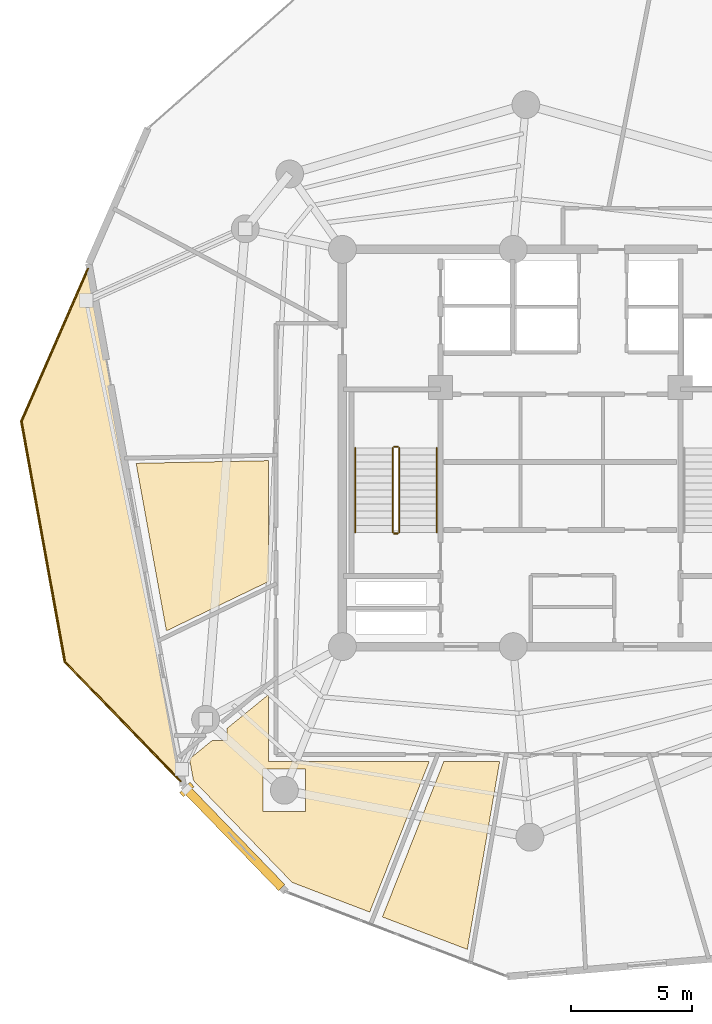
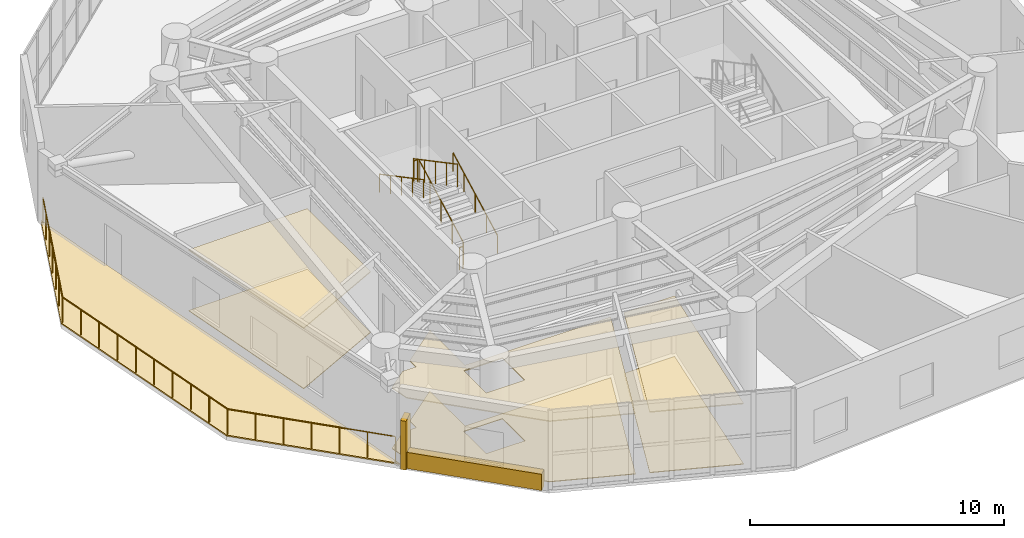
# One storey, part 10 of 12: 9 railings, 8 coverings, 1 shading device.
"""IFC4 building model written with IfcOpenShell, lengths in metres."""

from ifc_helpers import new_model, si_unit, direction, frame, origin, origin_with_axes, origin_2d, place, context, subcontext, project, spatial, polyline, rectangle, circle, outline, extrude, source, transform, mapped, material, layer, layer_set, type_object, element, save


model = new_model("IFC4")

# Units and contexts
model_context = context("Model", 3, precision=1e-05, world=origin(), true_north=direction((0.0, 1.0)))
body_context = subcontext(model_context, "Body", "Model", "MODEL_VIEW")
ifc_project = project(units=[si_unit("LENGTHUNIT", "METRE"), si_unit("AREAUNIT", "SQUARE_METRE"), si_unit("VOLUMEUNIT", "CUBIC_METRE"), si_unit("PLANEANGLEUNIT", "RADIAN"), si_unit("MASSUNIT", "GRAM", prefix="KILO")], contexts=[model_context])

# Site, building, storey
site_placement = place(None, origin())
site = spatial("IfcSite", under=ifc_project, at=site_placement, CompositionType="ELEMENT")
building_placement = place(site_placement, origin())
building = spatial("IfcBuilding", under=site, at=building_placement, Name="Karkom Vertical University and Central Library", CompositionType="ELEMENT")
storey_placement = place(building_placement, frame((0.0, 0.0, 212.89990234375)))
storey = spatial("IfcBuildingStorey", under=building, at=storey_placement, Name="L62", CompositionType="ELEMENT", Elevation=212.89990234375)

# Covering
ifc_material_1 = material(Name="EPDM membrane with Kota stone ballast roofing", Category="masonry")
ifc_layer_1 = layer(ifc_material_1, 0.080078125)
ifc_layer_set_1 = layer_set([ifc_layer_1], Name="EPDM membrane with Kota stone ballast roofing")
covering_type_1 = type_object("IfcCoveringType", Name="ENV-COV-ROOF", PredefinedType="ROOFING", material=ifc_layer_set_1)
covering_1_placement = place(storey_placement, origin())
element("IfcCovering", 1, at=covering_1_placement, inside=storey, type_object=covering_type_1, Name="Level 62 Spiral Sky Garden Waterproofing Covering", PredefinedType="ROOFING", context=body_context, shape_type="SweptSolid", body=[
    extrude(outline(polyline([(7.98291015625, 17.65771484375), (12.918212890625, 12.557373046875), (9.02490234375, 34.109619140625), (6.18603515625, 27.60498046875), (7.98291015625, 17.65771484375)])), origin(), (0.0, 0.0, 1.0), 0.06005859375),
])

# Railings
ifc_material_2 = material(Name="Architectural painted steel & laminated glass balustrade", Category="steel")
ifc_layer_2 = layer(ifc_material_2, 0.090087890625)
ifc_layer_set_2 = layer_set([ifc_layer_2], Name="Architectural painted steel & laminated glass balustrade")
railing_type_1 = type_object("IfcRailingType", Name="ENV-RL-BAL1300", PredefinedType="BALUSTRADE", material=ifc_layer_set_2)
railing_1_placement = place(storey_placement, frame((8.038818359375, 17.686279296875, 0.0)))
element("IfcRailing", 2, at=railing_1_placement, inside=storey, type_object=railing_type_1, Name="Level 62 Planted Terrace Safety Balustrade 01", PredefinedType="BALUSTRADE", context=body_context, shape_type="SweptSolid", body=[
    extrude(circle(Radius=0.02392578125, at=origin_2d()), frame((0.0, 0.0, 1.27587890625), z_axis=(-0.177771861924, 0.984071727624, 0.0), x_axis=(-0.984071727624, -0.177771861924, 0.0)), (0.0, 0.0, 1.0), 10.072021484375),
    extrude(circle(Radius=0.02099609375, at=origin_2d()), origin(), (0.0, 0.0, 1.0), 1.251953125),
    extrude(circle(Radius=0.02099609375, at=origin_2d()), frame((-0.198974609375, 1.101318359375, 0.0)), (0.0, 0.0, 1.0), 1.251953125),
    extrude(circle(Radius=0.02099609375, at=origin_2d()), frame((-0.39794921875, 2.20263671875, 0.0)), (0.0, 0.0, 1.0), 1.251953125),
    extrude(circle(Radius=0.02099609375, at=origin_2d()), frame((-0.596923828125, 3.303955078125, 0.0)), (0.0, 0.0, 1.0), 1.251953125),
    extrude(circle(Radius=0.02099609375, at=origin_2d()), frame((-0.7958984375, 4.4052734375, 0.0)), (0.0, 0.0, 1.0), 1.251953125),
    extrude(circle(Radius=0.02099609375, at=origin_2d()), frame((-0.99462890625, 5.50634765625, 0.0)), (0.0, 0.0, 1.0), 1.251953125),
    extrude(circle(Radius=0.02099609375, at=origin_2d()), frame((-1.193603515625, 6.607666015625, 0.0)), (0.0, 0.0, 1.0), 1.251953125),
    extrude(circle(Radius=0.02099609375, at=origin_2d()), frame((-1.392578125, 7.708984375, 0.0)), (0.0, 0.0, 1.0), 1.251953125),
    extrude(circle(Radius=0.02099609375, at=origin_2d()), frame((-1.591552734375, 8.810302734375, 0.0)), (0.0, 0.0, 1.0), 1.251953125),
    extrude(circle(Radius=0.02099609375, at=origin_2d()), frame((-1.79052734375, 9.91162109375, 0.0)), (0.0, 0.0, 1.0), 1.251953125),
])
railing_2_placement = place(storey_placement, frame((6.248291015625, 27.597900390625, 0.0)))
element("IfcRailing", 3, at=railing_2_placement, inside=storey, type_object=railing_type_1, Name="Level 62 Planted Terrace Safety Balustrade 02", PredefinedType="BALUSTRADE", context=body_context, shape_type="SweptSolid", body=[
    extrude(circle(Radius=0.02392578125, at=origin_2d()), frame((0.0, 0.0, 1.27587890625), z_axis=(0.400016524459, 0.916507926949, 0.0), x_axis=(-0.916507926949, 0.400016524459, 0.0)), (0.0, 0.0, 1.0), 6.88134765625),
    extrude(circle(Radius=0.02099609375, at=origin_2d()), origin(), (0.0, 0.0, 1.0), 1.251953125),
    extrude(circle(Radius=0.02099609375, at=origin_2d()), frame((0.458740234375, 1.05126953125, 0.0)), (0.0, 0.0, 1.0), 1.251953125),
    extrude(circle(Radius=0.02099609375, at=origin_2d()), frame((0.91748046875, 2.102294921875, 0.0)), (0.0, 0.0, 1.0), 1.251953125),
    extrude(circle(Radius=0.02099609375, at=origin_2d()), frame((1.37646484375, 3.1533203125, 0.0)), (0.0, 0.0, 1.0), 1.251953125),
    extrude(circle(Radius=0.02099609375, at=origin_2d()), frame((1.835205078125, 4.20458984375, 0.0)), (0.0, 0.0, 1.0), 1.251953125),
    extrude(circle(Radius=0.02099609375, at=origin_2d()), frame((2.2939453125, 5.255859375, 0.0)), (0.0, 0.0, 1.0), 1.251953125),
    extrude(circle(Radius=0.02099609375, at=origin_2d()), frame((2.752685546875, 6.306884765625, 0.0)), (0.0, 0.0, 1.0), 1.251953125),
])
railing_3_placement = place(storey_placement, frame((12.82421875, 12.740966796875, 0.0)))
element("IfcRailing", 4, at=railing_3_placement, inside=storey, type_object=railing_type_1, Name="Level 62 Planted Terrace Safety Balustrade 03", PredefinedType="BALUSTRADE", context=body_context, shape_type="SweptSolid", body=[
    extrude(circle(Radius=0.02392578125, at=origin_2d()), frame((0.0, 0.0, 1.27587890625), z_axis=(-0.695392469312, 0.718630164705, 0.0), x_axis=(-0.718630164705, -0.695392469312, 0.0)), (0.0, 0.0, 1.0), 6.881591796875),
    extrude(circle(Radius=0.02099609375, at=origin_2d()), origin(), (0.0, 0.0, 1.0), 1.251953125),
    extrude(circle(Radius=0.02099609375, at=origin_2d()), frame((-0.797607421875, 0.82421875, 0.0)), (0.0, 0.0, 1.0), 1.251953125),
    extrude(circle(Radius=0.02099609375, at=origin_2d()), frame((-1.59521484375, 1.6484375, 0.0)), (0.0, 0.0, 1.0), 1.251953125),
    extrude(circle(Radius=0.02099609375, at=origin_2d()), frame((-2.392578125, 2.47265625, 0.0)), (0.0, 0.0, 1.0), 1.251953125),
    extrude(circle(Radius=0.02099609375, at=origin_2d()), frame((-3.190185546875, 3.296875, 0.0)), (0.0, 0.0, 1.0), 1.251953125),
    extrude(circle(Radius=0.02099609375, at=origin_2d()), frame((-3.98779296875, 4.12109375, 0.0)), (0.0, 0.0, 1.0), 1.251953125),
    extrude(circle(Radius=0.02099609375, at=origin_2d()), frame((-4.785400390625, 4.9453125, 0.0)), (0.0, 0.0, 1.0), 1.251953125),
])

# Coverings
ifc_material_3 = material(Name="Perforated mineral-fibre & timber-slat acoustic ceiling", Category="wood")
ifc_layer_3 = layer(ifc_material_3, 0.044921875)
ifc_layer_set_3 = layer_set([ifc_layer_3], Name="Perforated mineral-fibre & timber-slat acoustic ceiling")
covering_type_2 = type_object("IfcCoveringType", Name="INT-COV-CEIL", PredefinedType="CEILING", material=ifc_layer_set_3)
covering_2_placement = place(storey_placement, frame((0.0, 0.0, 2.905029296875)))
element("IfcCovering", 5, at=covering_2_placement, inside=storey, type_object=covering_type_2, Name="Level 62 Suspended Acoustic Ceiling L62-01", PredefinedType="CEILING", context=body_context, shape_type="SweptSolid", body=[
    extrude(outline(polyline([(10.981201171875, 25.867431640625), (16.449951171875, 25.977294921875), (16.449951171875, 20.9873046875), (12.231201171875, 18.948486328125), (10.981201171875, 25.867431640625)])), origin(), (0.0, 0.0, 1.0), 0.045166015625),
])
covering_3_placement = place(storey_placement, frame((0.0, 0.0, 2.905029296875)))
element("IfcCovering", 6, at=covering_3_placement, inside=storey, type_object=covering_type_2, Name="Level 62 Suspended Acoustic Ceiling L62-03", PredefinedType="CEILING", context=body_context, shape_type="SweptSolid", body=[
    extrude(outline(polyline([(23.0810546875, 13.550048828125), (20.6259765625, 7.337890625), (17.424072265625, 8.5625), (13.34619140625, 12.776611328125), (13.186279296875, 13.660888671875), (14.11181640625, 14.4150390625), (14.72900390625, 14.4150390625), (14.72900390625, 14.91796875), (16.449951171875, 16.3203125), (16.449951171875, 13.550048828125), (23.0810546875, 13.550048828125)]), holes=[polyline([(16.222900390625, 13.24609375), (16.222900390625, 11.486083984375), (17.98291015625, 11.486083984375), (17.98291015625, 13.24609375), (16.222900390625, 13.24609375)])]), origin(), (0.0, 0.0, 1.0), 0.045166015625),
])
covering_4_placement = place(storey_placement, frame((0.0, 0.0, 2.905029296875)))
element("IfcCovering", 7, at=covering_4_placement, inside=storey, type_object=covering_type_2, Name="Level 62 Suspended Acoustic Ceiling L62-04", PredefinedType="CEILING", context=body_context, shape_type="SweptSolid", body=[
    extrude(outline(polyline([(21.149169921875, 7.137939453125), (23.68310546875, 13.550048828125), (25.989013671875, 13.550048828125), (24.656005859375, 5.796875), (21.149169921875, 7.137939453125)])), origin(), (0.0, 0.0, 1.0), 0.045166015625),
])
ifc_material_4 = material(Name="Honed Kota limestone & terrazzo flooring", Category="masonry")
ifc_layer_4 = layer(ifc_material_4, 0.030029296875)
ifc_layer_set_4 = layer_set([ifc_layer_4], Name="Honed Kota limestone & terrazzo flooring")
covering_type_3 = type_object("IfcCoveringType", Name="INT-COV-FLOOR", PredefinedType="FLOORING", material=ifc_layer_set_4)
covering_5_placement = place(storey_placement, origin())
element("IfcCovering", 8, at=covering_5_placement, inside=storey, type_object=covering_type_3, Name="Level 62 Kota Stone Floor Finish L62-01", PredefinedType="FLOORING", context=body_context, shape_type="SweptSolid", body=[
    extrude(outline(polyline([(10.981201171875, 25.867431640625), (16.449951171875, 25.977294921875), (16.449951171875, 20.9873046875), (12.231201171875, 18.948486328125), (10.981201171875, 25.867431640625)])), origin(), (0.0, 0.0, 1.0), 0.030029296875),
])
covering_6_placement = place(storey_placement, origin())
element("IfcCovering", 9, at=covering_6_placement, inside=storey, type_object=covering_type_3, Name="Level 62 Kota Stone Floor Finish L62-03", PredefinedType="FLOORING", context=body_context, shape_type="SweptSolid", body=[
    extrude(outline(polyline([(23.0810546875, 13.550048828125), (20.6259765625, 7.337890625), (17.424072265625, 8.5625), (13.34619140625, 12.776611328125), (13.186279296875, 13.660888671875), (14.11181640625, 14.4150390625), (14.72900390625, 14.4150390625), (14.72900390625, 14.91796875), (16.449951171875, 16.3203125), (16.449951171875, 13.550048828125), (23.0810546875, 13.550048828125)]), holes=[polyline([(16.222900390625, 13.24609375), (16.222900390625, 11.486083984375), (17.98291015625, 11.486083984375), (17.98291015625, 13.24609375), (16.222900390625, 13.24609375)])]), origin(), (0.0, 0.0, 1.0), 0.030029296875),
])
covering_7_placement = place(storey_placement, origin())
element("IfcCovering", 10, at=covering_7_placement, inside=storey, type_object=covering_type_3, Name="Level 62 Kota Stone Floor Finish L62-04", PredefinedType="FLOORING", context=body_context, shape_type="SweptSolid", body=[
    extrude(outline(polyline([(21.149169921875, 7.137939453125), (23.68310546875, 13.550048828125), (25.989013671875, 13.550048828125), (24.656005859375, 5.796875), (21.149169921875, 7.137939453125)])), origin(), (0.0, 0.0, 1.0), 0.030029296875),
])

# Railings
ifc_material_5 = material(Name="Painted galvanised steel balustrade", Category="steel")
ifc_layer_5 = layer(ifc_material_5, 0.06005859375)
ifc_layer_set_5 = layer_set([ifc_layer_5], Name="Painted galvanised steel balustrade")
railing_type_2 = type_object("IfcRailingType", Name="INT-RL-GUARD1100", PredefinedType="GUARDRAIL", material=ifc_layer_set_5)
railing_4_placement = place(storey_placement, frame((21.840087890625, 23.02001953125, 0.154052734375)))
element("IfcRailing", 11, at=railing_4_placement, inside=storey, type_object=railing_type_2, Name="Level 62 ST-1 stair guard 1", PredefinedType="GUARDRAIL", context=body_context, shape_type="SweptSolid", body=[
    extrude(circle(Radius=0.02392578125, at=origin_2d()), frame((0.0, 0.0, 1.076171875), z_axis=(0.0, 0.883409237303, 0.468602304143), x_axis=(-1.0, 0.0, 0.0)), (0.0, 0.0, 1.0), 3.939208984375),
    extrude(circle(Radius=0.02099609375, at=origin_2d()), origin(), (0.0, 0.0, 1.0), 1.052001953125),
    extrude(circle(Radius=0.02099609375, at=origin_2d()), frame((0.0, 0.8701171875, 0.46142578125)), (0.0, 0.0, 1.0), 1.052001953125),
    extrude(circle(Radius=0.02099609375, at=origin_2d()), frame((0.0, 1.739990234375, 0.9228515625)), (0.0, 0.0, 1.0), 1.052001953125),
    extrude(circle(Radius=0.02099609375, at=origin_2d()), frame((0.0, 2.60986328125, 1.384521484375)), (0.0, 0.0, 1.0), 1.052001953125),
    extrude(circle(Radius=0.02099609375, at=origin_2d()), frame((0.0, 3.47998046875, 1.845947265625)), (0.0, 0.0, 1.0), 1.052001953125),
])
railing_5_placement = place(storey_placement, frame((21.7900390625, 26.550048828125, 2.0)))
element("IfcRailing", 12, at=railing_5_placement, inside=storey, type_object=railing_type_2, Name="Level 62 ST-1 stair guard 2", PredefinedType="GUARDRAIL", context=body_context, shape_type="SweptSolid", body=[
    extrude(circle(Radius=0.02392578125, at=origin_2d()), frame((0.0, 0.0, 1.076171875), z_axis=(-1.0, 0.0, 0.0), x_axis=(0.0, -1.0, 0.0)), (0.0, 0.0, 1.0), 0.16015625),
    extrude(circle(Radius=0.02099609375, at=origin_2d()), origin(), (0.0, 0.0, 1.0), 1.052001953125),
    extrude(circle(Radius=0.02099609375, at=origin_2d()), frame((-0.16015625, 0.0, 0.0)), (0.0, 0.0, 1.0), 1.052001953125),
])
railing_6_placement = place(storey_placement, frame((21.580078125, 26.5, 2.154052734375)))
element("IfcRailing", 13, at=railing_6_placement, inside=storey, type_object=railing_type_2, Name="Level 62 ST-1 stair guard 3", PredefinedType="GUARDRAIL", context=body_context, shape_type="SweptSolid", body=[
    extrude(circle(Radius=0.02392578125, at=origin_2d()), frame((0.0, 0.0, 1.076171875), z_axis=(0.0, -0.883409237303, 0.468602304143), x_axis=(1.0, 0.0, 0.0)), (0.0, 0.0, 1.0), 3.939208984375),
    extrude(circle(Radius=0.02099609375, at=origin_2d()), origin(), (0.0, 0.0, 1.0), 1.052001953125),
    extrude(circle(Radius=0.02099609375, at=origin_2d()), frame((0.0, -0.8701171875, 0.46142578125)), (0.0, 0.0, 1.0), 1.052001953125),
    extrude(circle(Radius=0.02099609375, at=origin_2d()), frame((0.0, -1.739990234375, 0.9228515625)), (0.0, 0.0, 1.0), 1.052001953125),
    extrude(circle(Radius=0.02099609375, at=origin_2d()), frame((0.0, -2.60986328125, 1.384521484375)), (0.0, 0.0, 1.0), 1.052001953125),
    extrude(circle(Radius=0.02099609375, at=origin_2d()), frame((0.0, -3.47998046875, 1.845947265625)), (0.0, 0.0, 1.0), 1.052001953125),
])
railing_7_placement = place(storey_placement, frame((21.7900390625, 22.969970703125, 0.0)))
element("IfcRailing", 14, at=railing_7_placement, inside=storey, type_object=railing_type_2, Name="Level 62 ST-1 stair guard 4", PredefinedType="GUARDRAIL", context=body_context, shape_type="SweptSolid", body=[
    extrude(circle(Radius=0.02392578125, at=origin_2d()), frame((0.0, 0.0, 1.076171875), z_axis=(-1.0, 0.0, 0.0), x_axis=(0.0, -1.0, 0.0)), (0.0, 0.0, 1.0), 0.16015625),
    extrude(circle(Radius=0.02099609375, at=origin_2d()), origin(), (0.0, 0.0, 1.0), 1.052001953125),
    extrude(circle(Radius=0.02099609375, at=origin_2d()), frame((-0.16015625, 0.0, 0.0)), (0.0, 0.0, 1.0), 1.052001953125),
])
ifc_material_6 = material(Name="Brushed stainless-steel tubular handrail", Category="steel")
ifc_layer_6 = layer(ifc_material_6, 0.048095703125)
ifc_layer_set_6 = layer_set([ifc_layer_6], Name="Brushed stainless-steel tubular handrail")
railing_type_3 = type_object("IfcRailingType", Name="INT-RL-HAND920", PredefinedType="HANDRAIL", material=ifc_layer_set_6)
railing_8_placement = place(storey_placement, frame((23.389892578125, 23.02001953125, 0.154052734375)))
element("IfcRailing", 15, at=railing_8_placement, inside=storey, type_object=railing_type_3, Name="Level 62 ST-1 stair handrail 1", PredefinedType="HANDRAIL", context=body_context, shape_type="SweptSolid", body=[
    extrude(circle(Radius=0.02392578125, at=origin_2d()), frame((0.0, 0.0, 0.8759765625), z_axis=(0.0, 0.883409237303, 0.468602304143), x_axis=(-1.0, 0.0, 0.0)), (0.0, 0.0, 1.0), 3.939208984375),
    extrude(circle(Radius=0.02099609375, at=origin_2d()), origin(), (0.0, 0.0, 1.0), 0.851806640625),
    extrude(circle(Radius=0.02099609375, at=origin_2d()), frame((0.0, 0.8701171875, 0.46142578125)), (0.0, 0.0, 1.0), 0.851806640625),
    extrude(circle(Radius=0.02099609375, at=origin_2d()), frame((0.0, 1.739990234375, 0.9228515625)), (0.0, 0.0, 1.0), 0.851806640625),
    extrude(circle(Radius=0.02099609375, at=origin_2d()), frame((0.0, 2.60986328125, 1.384521484375)), (0.0, 0.0, 1.0), 0.851806640625),
    extrude(circle(Radius=0.02099609375, at=origin_2d()), frame((0.0, 3.47998046875, 1.845947265625)), (0.0, 0.0, 1.0), 0.851806640625),
])
railing_9_placement = place(storey_placement, frame((20.030029296875, 26.5, 2.154052734375)))
element("IfcRailing", 16, at=railing_9_placement, inside=storey, type_object=railing_type_3, Name="Level 62 ST-1 stair handrail 2", PredefinedType="HANDRAIL", context=body_context, shape_type="SweptSolid", body=[
    extrude(circle(Radius=0.02392578125, at=origin_2d()), frame((0.0, 0.0, 0.8759765625), z_axis=(0.0, -0.883409237303, 0.468602304143), x_axis=(1.0, 0.0, 0.0)), (0.0, 0.0, 1.0), 3.939208984375),
    extrude(circle(Radius=0.02099609375, at=origin_2d()), origin(), (0.0, 0.0, 1.0), 0.851806640625),
    extrude(circle(Radius=0.02099609375, at=origin_2d()), frame((0.0, -0.8701171875, 0.46142578125)), (0.0, 0.0, 1.0), 0.851806640625),
    extrude(circle(Radius=0.02099609375, at=origin_2d()), frame((0.0, -1.739990234375, 0.9228515625)), (0.0, 0.0, 1.0), 0.851806640625),
    extrude(circle(Radius=0.02099609375, at=origin_2d()), frame((0.0, -2.60986328125, 1.384521484375)), (0.0, 0.0, 1.0), 0.851806640625),
    extrude(circle(Radius=0.02099609375, at=origin_2d()), frame((0.0, -3.47998046875, 1.845947265625)), (0.0, 0.0, 1.0), 0.851806640625),
])

# Shading device
ifc_material_7 = material(Name="Terracotta-clad precast concrete sun-breaker fin C45/55", Category="masonry")
shading_device_type = type_object("IfcShadingDeviceType", Name="ENV-SHD-BRISE", PredefinedType="USERDEFINED", material=ifc_material_7)
shared_shape_1 = source(origin_with_axes(), body_context, "Body", "SweptSolid", [
    extrude(rectangle(XDim=0.239990234375, YDim=0.60009765625, at=origin_2d()), origin(), (0.0, 0.0, 1.0), 2.35009765625),
])
shading_device_placement = place(storey_placement, frame((13.0712890625, 12.399169921875, 0.0), z_axis=(0.0, 0.0, 1.0), x_axis=(0.69541128031, -0.718611961505, 0.0)))
element("IfcShadingDevice", 17, at=shading_device_placement, inside=storey, type_object=shading_device_type, Name="Level 62 Brutalist Brise-Soleil Fin 01", ObjectType="BRISE SOLEIL", PredefinedType="USERDEFINED", context=body_context, shape_type="MappedRepresentation", body=[
    mapped(shared_shape_1, transform((0.0, 0.0, 0.0), scale=1.0)),
])

# Covering
ifc_material_8 = material(Name="Hand-pressed red-ochre terracotta brick slip cladding", Category="masonry")
ifc_layer_7 = layer(ifc_material_8, 0.090087890625)
ifc_layer_set_7 = layer_set([ifc_layer_7], Name="Hand-pressed red-ochre terracotta brick slip cladding")
covering_type_4 = type_object("IfcCoveringType", Name="ENV-COV-CLAD", PredefinedType="CLADDING", material=ifc_layer_set_7)
shared_shape_2 = source(origin_with_axes(), body_context, "Body", "SweptSolid", [
    extrude(rectangle(XDim=5.60595703125, YDim=0.360107421875, at=origin_2d()), origin(), (0.0, 0.0, 1.0), 0.780029296875),
])
covering_8_placement = place(storey_placement, frame((15.04150390625, 10.36328125, 0.0), z_axis=(0.0, 0.0, 1.0), x_axis=(0.69541128031, -0.718611961505, 0.0)))
element("IfcCovering", 18, at=covering_8_placement, inside=storey, type_object=covering_type_4, Name="Level 62 Terracotta Spandrel Cladding 01", PredefinedType="CLADDING", context=body_context, shape_type="MappedRepresentation", body=[
    mapped(shared_shape_2, transform((0.0, 0.0, 0.0), scale=1.0)),
])

save(model, "model.ifc")
